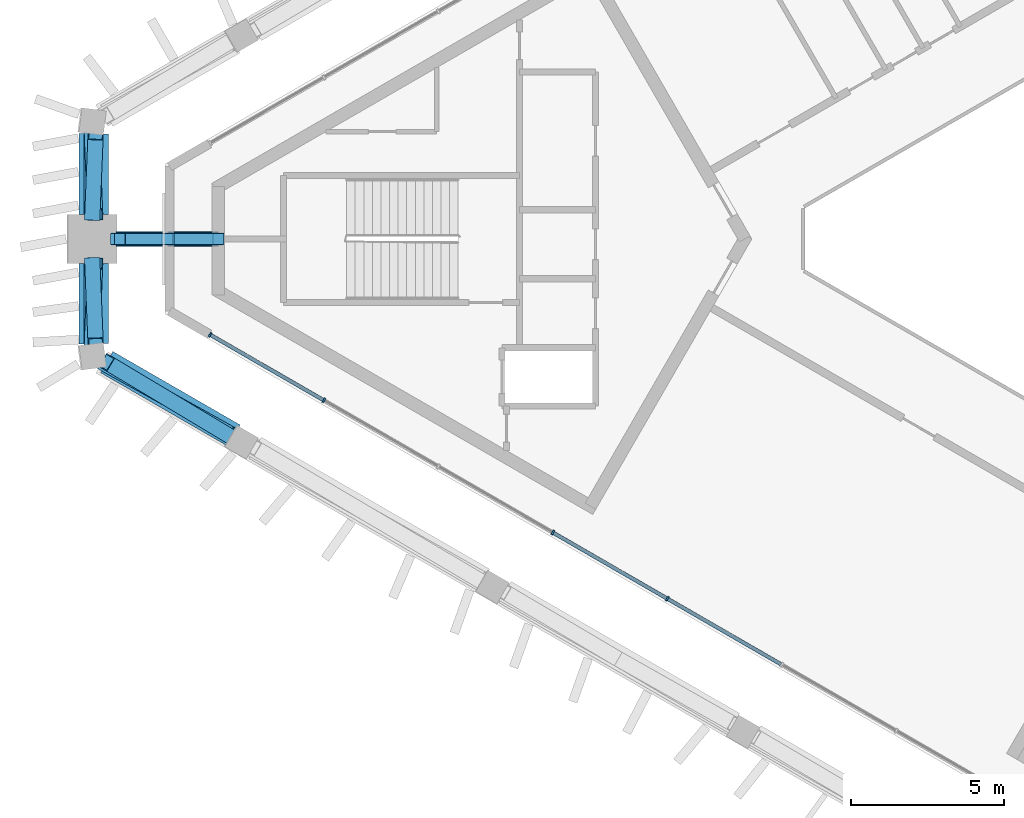
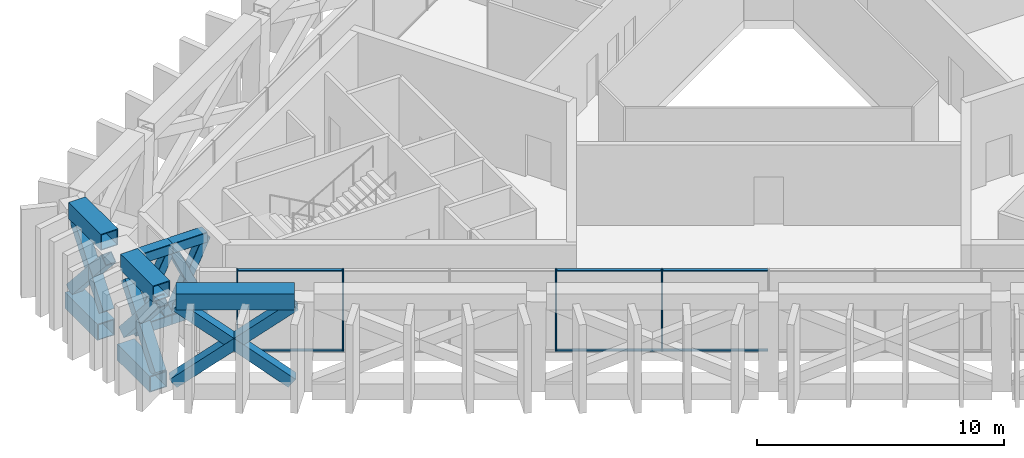
# One storey, part 3 of 12: 29 members, 1 element without a shape of its own.
"""IFC4 building model written with IfcOpenShell, lengths in metres."""

from ifc_helpers import new_model, si_unit, direction, frame, origin, origin_2d, place, context, subcontext, project, spatial, rectangle, hollow_rectangle, extrude, material, layer, layer_set, material_profile, profile_set, type_object, element, aggregate, save


model = new_model("IFC4")

# Units and contexts
model_context = context("Model", 3, precision=1e-05, world=origin(), true_north=direction((0.0, 1.0)))
body_context = subcontext(model_context, "Body", "Model", "MODEL_VIEW")
ifc_project = project(units=[si_unit("LENGTHUNIT", "METRE"), si_unit("AREAUNIT", "SQUARE_METRE"), si_unit("VOLUMEUNIT", "CUBIC_METRE"), si_unit("PLANEANGLEUNIT", "RADIAN"), si_unit("MASSUNIT", "GRAM", prefix="KILO")], contexts=[model_context])

# Site, building, storey
site_placement = place(None, origin())
site = spatial("IfcSite", under=ifc_project, at=site_placement, CompositionType="ELEMENT")
building_placement = place(site_placement, origin())
building = spatial("IfcBuilding", under=site, at=building_placement, Name="Jabali Bay Hotel Tower and Convention Centre", CompositionType="ELEMENT")
storey_placement = place(building_placement, frame((0.0, 0.0, 300.39990234375)))
storey = spatial("IfcBuildingStorey", under=building, at=storey_placement, Name="L74", CompositionType="ELEMENT", Elevation=300.39990234375)

# Members
ifc_material_1 = material(Name="Steel Q420GJC", Category="steel")
ifc_material_profile_1 = material_profile(ifc_material_1, hollow_rectangle(XDim=0.5, YDim=0.5, WallThickness=0.030029296875, at=origin_2d()), Name="Belt brace 500x500x30")
ifc_profile_set_1 = profile_set([ifc_material_profile_1], Name="Steel Q420GJC")
member_type_1 = type_object("IfcMemberType", Name="Belt brace 500x500x30", PredefinedType="BRACE", material=ifc_profile_set_1)
member_1_placement = place(storey_placement, frame((44.470703125, 83.431884765625, 0.458984375), z_axis=(0.026543855736, -0.656473386241, 0.753882031143), x_axis=(0.999183546139, 0.040401003999, 0.0)))
element("IfcMember", 1, at=member_1_placement, inside=storey, type_object=member_type_1, Name="Belt brace T6 V3-M0 x1", PredefinedType="BRACE", context=body_context, shape_type="SweptSolid", body=[
    extrude(hollow_rectangle(XDim=0.5, YDim=0.5, WallThickness=0.030029296875, at=origin_2d()), origin(), (0.0, 0.0, 1.0), 4.01025390625),
])
for number, where, z_axis, x_axis, name in (
    (2, (44.48681640625, 80.79931640625, 0.921142578125), (0.026625721793, 0.655200387894, 0.75498577645), (-0.999175317078, 0.040604011394, 0.0), "Belt brace T6 V3-M0 x2"),
    (3, (44.48681640625, 79.20068359375, 0.921142578125), (0.026625721793, -0.655200387894, 0.75498577645), (0.999175317078, 0.040604011394, 0.0), "Belt brace T6 M0-V4 x1"),
):
    element("IfcMember", number, at=place(storey_placement, frame(where, z_axis=z_axis, x_axis=x_axis)), inside=storey, type_object=member_type_1, Name=name, PredefinedType="BRACE", context=body_context, shape_type="SweptSolid", body=[
        extrude(hollow_rectangle(XDim=0.5, YDim=0.5, WallThickness=0.030029296875, at=origin_2d()), origin(), (0.0, 0.0, 1.0), 3.997802734375),
    ])
member_2_placement = place(storey_placement, frame((44.470703125, 76.568115234375, 0.458984375), z_axis=(0.026543855736, 0.656473386241, 0.753882031143), x_axis=(-0.999183546139, 0.040401003999, 0.0)))
element("IfcMember", 4, at=member_2_placement, inside=storey, type_object=member_type_1, Name="Belt brace T6 M0-V4 x2", PredefinedType="BRACE", context=body_context, shape_type="SweptSolid", body=[
    extrude(hollow_rectangle(XDim=0.5, YDim=0.5, WallThickness=0.030029296875, at=origin_2d()), origin(), (0.0, 0.0, 1.0), 4.01025390625),
])
member_3_placement = place(storey_placement, frame((44.803955078125, 75.973876953125, 0.307861328125), z_axis=(0.692500702198, -0.385566139332, 0.609738902856), x_axis=(0.486455968619, 0.873705093607, 0.0)))
element("IfcMember", 5, at=member_3_placement, inside=storey, type_object=member_type_1, Name="Belt brace T6 V4-F2.1 x1", PredefinedType="BRACE", context=body_context, shape_type="SweptSolid", body=[
    extrude(hollow_rectangle(XDim=0.5, YDim=0.5, WallThickness=0.030029296875, at=origin_2d()), origin(), (0.0, 0.0, 1.0), 6.20654296875),
])
member_4_placement = place(storey_placement, frame((48.982666015625, 73.561767578125, 0.3203125), z_axis=(-0.669759415967, 0.40123892073, 0.624843703029), x_axis=(-0.51391481489, -0.857841222509, 0.0)))
element("IfcMember", 6, at=member_4_placement, inside=storey, type_object=member_type_1, Name="Belt brace T6 V4-F2.1 x2", PredefinedType="BRACE", context=body_context, shape_type="SweptSolid", body=[
    extrude(hollow_rectangle(XDim=0.5, YDim=0.5, WallThickness=0.030029296875, at=origin_2d()), origin(), (0.0, 0.0, 1.0), 6.01708984375),
])
ifc_material_profile_2 = material_profile(ifc_material_1, hollow_rectangle(XDim=0.800048828125, YDim=0.800048828125, WallThickness=0.0400390625, at=origin_2d()), Name="Belt chord 800x800x40")
ifc_profile_set_2 = profile_set([ifc_material_profile_2], Name="Steel Q420GJC")
member_type_2 = type_object("IfcMemberType", Name="Belt chord 800x800x40", PredefinedType="CHORD", material=ifc_profile_set_2)
for number, where, z_axis, x_axis, name in (
    (7, (44.454345703125, 83.431396484375, 0.0), (0.0, -1.0, 0.0), (1.0, 0.0, 0.0), "Belt chord T6 V3-M0"),
    (8, (44.454345703125, 79.199951171875, 0.0), (0.0, -1.0, 0.0), (1.0, 0.0, 0.0), "Belt chord T6 M0-V4"),
):
    element("IfcMember", number, at=place(storey_placement, frame(where, z_axis=z_axis, x_axis=x_axis)), inside=storey, type_object=member_type_2, Name=name, PredefinedType="CHORD", context=body_context, shape_type="SweptSolid", body=[
        extrude(hollow_rectangle(XDim=0.800048828125, YDim=0.800048828125, WallThickness=0.0400390625, at=origin_2d()), origin(), (0.0, 0.0, 1.0), 2.63134765625),
    ])
for number, where, z_axis, x_axis, name in (
    (9, (44.609375, 83.41845703125, 4.400146484375), (0.0, -1.0, 0.0), (1.0, 0.0, 0.0), "Belt chord T6 V3-M0"),
    (10, (44.609375, 79.199951171875, 4.400146484375), (0.0, -1.0, 0.0), (1.0, 0.0, 0.0), "Belt chord T6 M0-V4"),
):
    element("IfcMember", number, at=place(storey_placement, frame(where, z_axis=z_axis, x_axis=x_axis)), inside=storey, type_object=member_type_2, Name=name, PredefinedType="CHORD", context=body_context, shape_type="SweptSolid", body=[
        extrude(hollow_rectangle(XDim=0.800048828125, YDim=0.800048828125, WallThickness=0.0400390625, at=origin_2d()), origin(), (0.0, 0.0, 1.0), 2.618408203125),
    ])
member_5_placement = place(storey_placement, frame((44.955810546875, 75.981689453125, 4.400146484375), z_axis=(0.86602690036, -0.499997407846, 0.0), x_axis=(0.499997407846, 0.86602690036, 0.0)))
element("IfcMember", 11, at=member_5_placement, inside=storey, type_object=member_type_2, Name="Belt chord T6 V4-F2.1", PredefinedType="CHORD", context=body_context, shape_type="SweptSolid", body=[
    extrude(hollow_rectangle(XDim=0.800048828125, YDim=0.800048828125, WallThickness=0.0400390625, at=origin_2d()), origin(), (0.0, 0.0, 1.0), 4.791015625),
])

# Curtain wall, members
ifc_material_2 = material(Name="Aluminium and glass", Category="aluminium")
ifc_layer = layer(ifc_material_2, 0.159912109375)
ifc_layer_set = layer_set([ifc_layer], Name="Aluminium and glass")
curtain_wall_type = type_object("IfcCurtainWallType", Name="CW3 curtain wall", PredefinedType="NOTDEFINED", material=ifc_layer_set)
curtain_wall_placement = place(storey_placement, origin())
curtain_wall = element("IfcCurtainWall", 12, at=curtain_wall_placement, inside=storey, type_object=curtain_wall_type, Name="CW3 curtain wall south-west face L74", PredefinedType="NOTDEFINED")
ifc_material_3 = material(Name="Aluminium", Category="aluminium")
ifc_material_profile_3 = material_profile(ifc_material_3, rectangle(XDim=0.159912109375, YDim=0.06005859375, at=origin_2d()), Name="CW3 mullion 60 x 160")
ifc_profile_set_3 = profile_set([ifc_material_profile_3], Name="Aluminium")
member_type_3 = type_object("IfcMemberType", Name="CW3 mullion 60 x 160", PredefinedType="MULLION", material=ifc_profile_set_3)
member_6_placement = place(storey_placement, frame((63.244384765625, 68.2646484375, 0.0), z_axis=(0.0, 0.0, 1.0), x_axis=(-0.500000004882, -0.866025400966, 0.0)))
member_6 = element("IfcMember", 13, at=member_6_placement, type_object=member_type_3, Name="CW3 mullion 7", PredefinedType="MULLION", context=body_context, shape_type="SweptSolid", body=[
    extrude(rectangle(XDim=0.159912109375, YDim=0.06005859375, at=origin_2d()), origin(), (0.0, 0.0, 1.0), 4.0),
])
member_7_placement = place(storey_placement, frame((59.509033203125, 70.421142578125, 0.0), z_axis=(0.0, 0.0, 1.0), x_axis=(-0.500000004882, -0.866025400966, 0.0)))
member_7 = element("IfcMember", 14, at=member_7_placement, type_object=member_type_3, Name="CW3 mullion 8", PredefinedType="MULLION", context=body_context, shape_type="SweptSolid", body=[
    extrude(rectangle(XDim=0.159912109375, YDim=0.06005859375, at=origin_2d()), origin(), (0.0, 0.0, 1.0), 4.0),
])
member_8_placement = place(storey_placement, frame((52.03857421875, 74.734375, 0.0), z_axis=(0.0, 0.0, 1.0), x_axis=(-0.500000004882, -0.866025400966, 0.0)))
member_8 = element("IfcMember", 15, at=member_8_placement, type_object=member_type_3, Name="CW3 mullion 10", PredefinedType="MULLION", context=body_context, shape_type="SweptSolid", body=[
    extrude(rectangle(XDim=0.159912109375, YDim=0.06005859375, at=origin_2d()), origin(), (0.0, 0.0, 1.0), 4.0),
])
member_9_placement = place(storey_placement, frame((48.329345703125, 76.875732421875, 0.0), z_axis=(0.0, 0.0, 1.0), x_axis=(-0.500000004882, -0.866025400966, 0.0)))
member_9 = element("IfcMember", 16, at=member_9_placement, type_object=member_type_3, Name="CW3 mullion 11", PredefinedType="MULLION", context=body_context, shape_type="SweptSolid", body=[
    extrude(rectangle(XDim=0.159912109375, YDim=0.06005859375, at=origin_2d()), origin(), (0.0, 0.0, 1.0), 4.0),
])
ifc_material_profile_4 = material_profile(ifc_material_3, rectangle(XDim=0.1201171875, YDim=0.06005859375, at=origin_2d()), Name="CW3 transom 60 x 120")
ifc_profile_set_4 = profile_set([ifc_material_profile_4], Name="Aluminium")
member_type_4 = type_object("IfcMemberType", Name="CW3 transom 60 x 120", PredefinedType="USERDEFINED", material=ifc_profile_set_4)
member_10_placement = place(storey_placement, frame((66.95361328125, 66.123046875, 0.030029296875), z_axis=(-0.86601256593, 0.500022235157, 0.0), x_axis=(-0.500022235157, -0.86601256593, 0.0)))
member_10 = element("IfcMember", 17, at=member_10_placement, type_object=member_type_4, Name="CW3 transom 6.1", ObjectType="TRANSOM", PredefinedType="USERDEFINED", context=body_context, shape_type="SweptSolid", body=[
    extrude(rectangle(XDim=0.1201171875, YDim=0.06005859375, at=origin_2d()), origin(), (0.0, 0.0, 1.0), 4.253173828125),
])
member_11_placement = place(storey_placement, frame((66.95361328125, 66.123046875, 3.97021484375), z_axis=(-0.86601256593, 0.500022235157, 0.0), x_axis=(-0.500022235157, -0.86601256593, 0.0)))
member_11 = element("IfcMember", 18, at=member_11_placement, type_object=member_type_4, Name="CW3 transom 6.2", ObjectType="TRANSOM", PredefinedType="USERDEFINED", context=body_context, shape_type="SweptSolid", body=[
    extrude(rectangle(XDim=0.1201171875, YDim=0.06005859375, at=origin_2d()), origin(), (0.0, 0.0, 1.0), 4.253173828125),
])
member_12_placement = place(storey_placement, frame((63.21826171875, 68.27978515625, 0.030029296875), z_axis=(-0.86602307118, 0.500004040168, 0.0), x_axis=(-0.500004040168, -0.86602307118, 0.0)))
member_12 = element("IfcMember", 19, at=member_12_placement, type_object=member_type_4, Name="CW3 transom 7.1", ObjectType="TRANSOM", PredefinedType="USERDEFINED", context=body_context, shape_type="SweptSolid", body=[
    extrude(rectangle(XDim=0.1201171875, YDim=0.06005859375, at=origin_2d()), origin(), (0.0, 0.0, 1.0), 4.2529296875),
])
member_13_placement = place(storey_placement, frame((63.21826171875, 68.27978515625, 3.97021484375), z_axis=(-0.86602307118, 0.500004040168, 0.0), x_axis=(-0.500004040168, -0.86602307118, 0.0)))
member_13 = element("IfcMember", 20, at=member_13_placement, type_object=member_type_4, Name="CW3 transom 7.2", ObjectType="TRANSOM", PredefinedType="USERDEFINED", context=body_context, shape_type="SweptSolid", body=[
    extrude(rectangle(XDim=0.1201171875, YDim=0.06005859375, at=origin_2d()), origin(), (0.0, 0.0, 1.0), 4.2529296875),
])
member_14_placement = place(storey_placement, frame((52.0126953125, 74.749267578125, 0.030029296875), z_axis=(-0.866018069786, 0.500012702642, 0.0), x_axis=(-0.500012702642, -0.866018069786, 0.0)))
member_14 = element("IfcMember", 21, at=member_14_placement, type_object=member_type_4, Name="CW3 transom 10.1", ObjectType="TRANSOM", PredefinedType="USERDEFINED", context=body_context, shape_type="SweptSolid", body=[
    extrude(rectangle(XDim=0.1201171875, YDim=0.06005859375, at=origin_2d()), origin(), (0.0, 0.0, 1.0), 4.22314453125),
])
member_15_placement = place(storey_placement, frame((52.0126953125, 74.749267578125, 3.97021484375), z_axis=(-0.866018069786, 0.500012702642, 0.0), x_axis=(-0.500012702642, -0.866018069786, 0.0)))
member_15 = element("IfcMember", 22, at=member_15_placement, type_object=member_type_4, Name="CW3 transom 10.2", ObjectType="TRANSOM", PredefinedType="USERDEFINED", context=body_context, shape_type="SweptSolid", body=[
    extrude(rectangle(XDim=0.1201171875, YDim=0.06005859375, at=origin_2d()), origin(), (0.0, 0.0, 1.0), 4.22314453125),
])
aggregate(curtain_wall, [member_6, member_7, member_8, member_9, member_10, member_11, member_12, member_13, member_14, member_15])

# Members
ifc_material_profile_5 = material_profile(ifc_material_1, hollow_rectangle(XDim=0.39990234375, YDim=0.39990234375, WallThickness=0.011962890625, InnerFilletRadius=0.01806640625, OuterFilletRadius=0.030029296875, at=origin_2d()), Name="Outrigger brace 400x400x12")
ifc_profile_set_5 = profile_set([ifc_material_profile_5], Name="Steel Q420GJC")
member_type_5 = type_object("IfcMemberType", Name="Outrigger brace 400x400x12", PredefinedType="BRACE", material=ifc_profile_set_5)
member_16_placement = place(storey_placement, frame((48.596923828125, 80.0, 0.25), z_axis=(-0.416881751378, 0.0, 0.908960728177), x_axis=(0.0, -1.0, 0.0)))
element("IfcMember", 23, at=member_16_placement, inside=storey, type_object=member_type_5, Name="Outrigger brace T6 1.1x1", PredefinedType="BRACE", context=body_context, shape_type="SweptSolid", body=[
    extrude(hollow_rectangle(XDim=0.39990234375, YDim=0.39990234375, WallThickness=0.011962890625, InnerFilletRadius=0.01806640625, OuterFilletRadius=0.030029296875, at=origin_2d()), origin(), (0.0, 0.0, 1.0), 3.8505859375),
])
member_17_placement = place(storey_placement, frame((46.93017578125, 80.0, 0.25), z_axis=(0.429950692632, 0.0, 0.902852369939), x_axis=(0.0, 1.0, 0.0)))
element("IfcMember", 24, at=member_17_placement, inside=storey, type_object=member_type_5, Name="Outrigger brace T6 1.1x2", PredefinedType="BRACE", context=body_context, shape_type="SweptSolid", body=[
    extrude(hollow_rectangle(XDim=0.39990234375, YDim=0.39990234375, WallThickness=0.011962890625, InnerFilletRadius=0.01806640625, OuterFilletRadius=0.030029296875, at=origin_2d()), origin(), (0.0, 0.0, 1.0), 3.876708984375),
])
member_18_placement = place(storey_placement, frame((46.93017578125, 80.0, 0.25), z_axis=(-0.403549069321, 0.0, 0.914958003763), x_axis=(0.0, -1.0, 0.0)))
element("IfcMember", 25, at=member_18_placement, inside=storey, type_object=member_type_5, Name="Outrigger brace T6 1.2x1", PredefinedType="BRACE", context=body_context, shape_type="SweptSolid", body=[
    extrude(hollow_rectangle(XDim=0.39990234375, YDim=0.39990234375, WallThickness=0.011962890625, InnerFilletRadius=0.01806640625, OuterFilletRadius=0.030029296875, at=origin_2d()), origin(), (0.0, 0.0, 1.0), 3.8251953125),
])
member_19_placement = place(storey_placement, frame((45.26318359375, 80.0, 0.25), z_axis=(0.442805142531, 0.0, 0.896617870527), x_axis=(0.0, 1.0, 0.0)))
element("IfcMember", 26, at=member_19_placement, inside=storey, type_object=member_type_5, Name="Outrigger brace T6 1.2x2", PredefinedType="BRACE", context=body_context, shape_type="SweptSolid", body=[
    extrude(hollow_rectangle(XDim=0.39990234375, YDim=0.39990234375, WallThickness=0.011962890625, InnerFilletRadius=0.01806640625, OuterFilletRadius=0.030029296875, at=origin_2d()), origin(), (0.0, 0.0, 1.0), 3.903564453125),
])
ifc_material_profile_6 = material_profile(ifc_material_1, hollow_rectangle(XDim=0.5, YDim=0.5, WallThickness=0.01611328125, InnerFilletRadius=0.02392578125, OuterFilletRadius=0.0400390625, at=origin_2d()), Name="Outrigger chord 500x500x16")
ifc_profile_set_6 = profile_set([ifc_material_profile_6], Name="Steel Q420GJC")
member_type_6 = type_object("IfcMemberType", Name="Outrigger chord 500x500x16", PredefinedType="CHORD", material=ifc_profile_set_6)
member_20_placement = place(storey_placement, frame((48.596923828125, 80.0, 0.25), z_axis=(-1.0, 0.0, 0.0), x_axis=(0.0, -1.0, 0.0)))
element("IfcMember", 27, at=member_20_placement, inside=storey, type_object=member_type_6, Name="Outrigger chord T6 1.lo1", PredefinedType="CHORD", context=body_context, shape_type="SweptSolid", body=[
    extrude(hollow_rectangle(XDim=0.5, YDim=0.5, WallThickness=0.01611328125, InnerFilletRadius=0.02392578125, OuterFilletRadius=0.0400390625, at=origin_2d()), origin(), (0.0, 0.0, 1.0), 1.666748046875),
])
member_21_placement = place(storey_placement, frame((46.93017578125, 80.0, 0.25), z_axis=(-1.0, 0.0, 0.0), x_axis=(0.0, -1.0, 0.0)))
element("IfcMember", 28, at=member_21_placement, inside=storey, type_object=member_type_6, Name="Outrigger chord T6 1.lo2", PredefinedType="CHORD", context=body_context, shape_type="SweptSolid", body=[
    extrude(hollow_rectangle(XDim=0.5, YDim=0.5, WallThickness=0.01611328125, InnerFilletRadius=0.02392578125, OuterFilletRadius=0.0400390625, at=origin_2d()), origin(), (0.0, 0.0, 1.0), 1.6669921875),
])
for number, where, z_axis, x_axis, name in (
    (29, (48.596923828125, 80.0, 3.75), (-1.0, 0.0, 0.0), (0.0, -1.0, 0.0), "Outrigger chord T6 1.hi1"),
    (30, (46.99169921875, 80.0, 3.75), (-1.0, 0.0, 0.0), (0.0, -1.0, 0.0), "Outrigger chord T6 1.hi2"),
):
    element("IfcMember", number, at=place(storey_placement, frame(where, z_axis=z_axis, x_axis=x_axis)), inside=storey, type_object=member_type_6, Name=name, PredefinedType="CHORD", context=body_context, shape_type="SweptSolid", body=[
        extrude(hollow_rectangle(XDim=0.5, YDim=0.5, WallThickness=0.01611328125, InnerFilletRadius=0.02392578125, OuterFilletRadius=0.0400390625, at=origin_2d()), origin(), (0.0, 0.0, 1.0), 1.605224609375),
    ])

save(model, "model.ifc")
